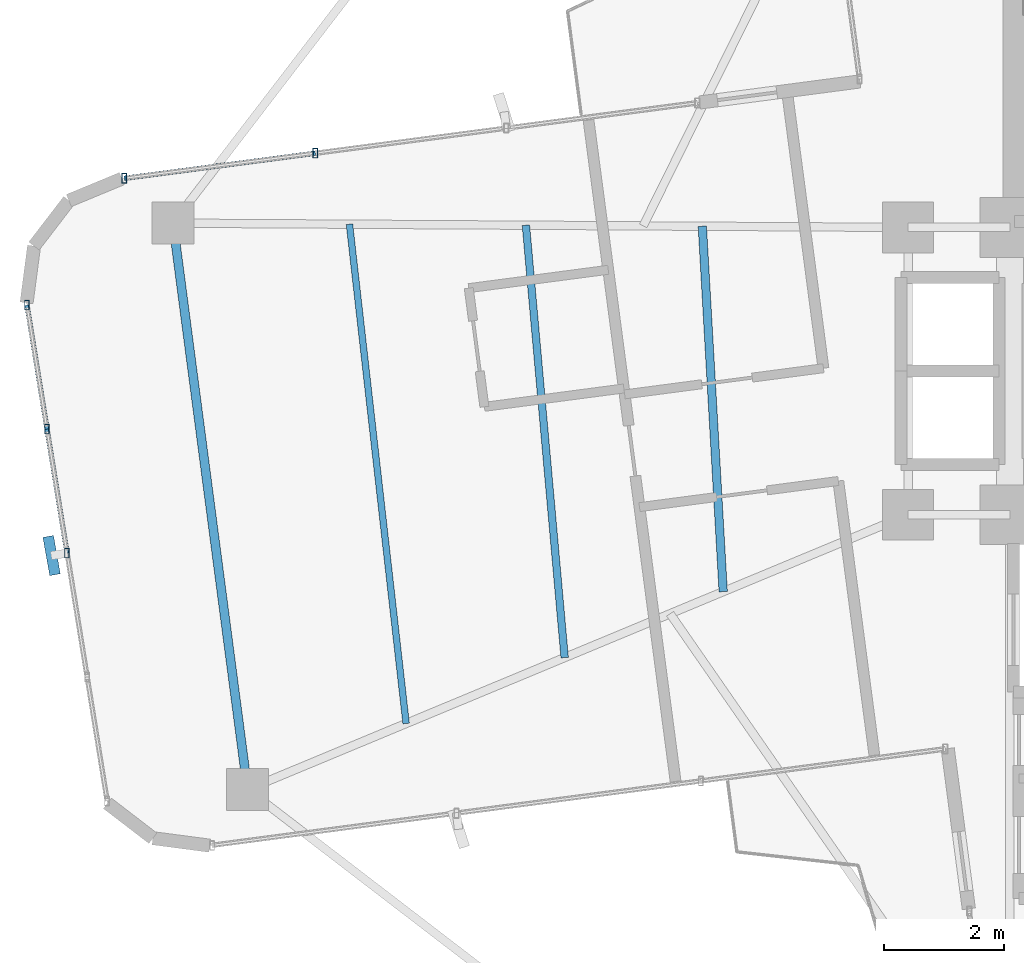
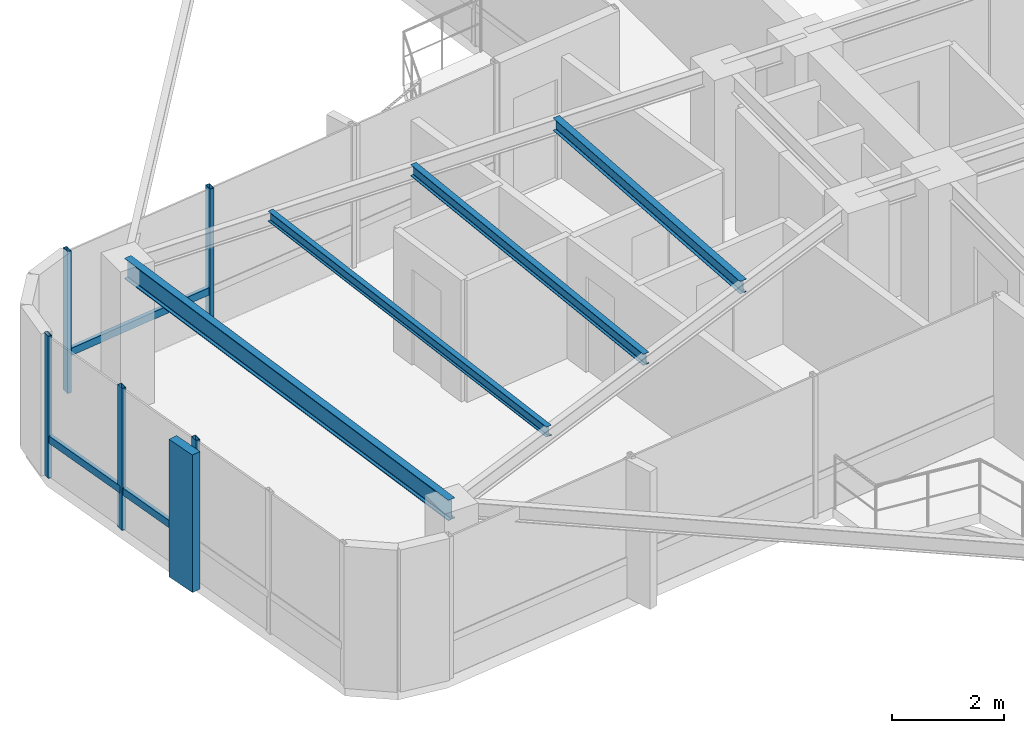
# One storey, part 7 of 22: 9 members, 4 beams, 2 elements without a shape of their own.
"""IFC4 building model written with IfcOpenShell, lengths in metres."""

from ifc_helpers import new_model, si_unit, direction, frame, origin, origin_2d, place, context, subcontext, project, spatial, rectangle, hollow_rectangle, i_section, extrude, source, transform, mapped, material, material_profile, profile_set, type_object, element, aggregate, save


model = new_model("IFC4")

# Units and contexts
model_context = context("Model", 3, precision=1e-05, world=origin(), true_north=direction((0.0, 1.0)))
body_context = subcontext(model_context, "Body", "Model", "MODEL_VIEW")
ifc_project = project(units=[si_unit("LENGTHUNIT", "METRE"), si_unit("AREAUNIT", "SQUARE_METRE"), si_unit("VOLUMEUNIT", "CUBIC_METRE"), si_unit("PLANEANGLEUNIT", "RADIAN"), si_unit("MASSUNIT", "GRAM", prefix="KILO")], contexts=[model_context])

# Site, building, storey
site_placement = place(None, origin())
site = spatial("IfcSite", under=ifc_project, at=site_placement, CompositionType="ELEMENT")
building_placement = place(site_placement, origin())
building = spatial("IfcBuilding", under=site, at=building_placement, Name="Sahyath Konkavel Grand Hotel", CompositionType="ELEMENT")
storey_placement = place(building_placement, frame((0.0, 0.0, 241.14990234375)))
storey = spatial("IfcBuildingStorey", under=building, at=storey_placement, Name="L67", CompositionType="ELEMENT", Elevation=241.14990234375)

# Beams
ifc_material_1 = material(Name="Steel E350", Category="steel")
ifc_material_profile_1 = material_profile(ifc_material_1, i_section(OverallWidth=0.14990234375, OverallDepth=0.449951171875, WebThickness=0.009521484375, FlangeThickness=0.017333984375, FilletRadius=0.014892578125, at=origin_2d()), Name="ISMB 450")
ifc_profile_set_1 = profile_set([ifc_material_profile_1], Name="Steel E350")
beam_type_1 = type_object("IfcBeamType", Name="BM-ISMB450", PredefinedType="BEAM", material=ifc_profile_set_1)
shared_shape_1 = source(origin(), body_context, "Body", "SweptSolid", [
    extrude(i_section(OverallWidth=0.14990234375, OverallDepth=0.449951171875, WebThickness=0.009521484375, FlangeThickness=0.017333984375, FilletRadius=0.014892578125, at=origin_2d()), origin(), (0.0, 0.0, 1.0), 9.5419921875),
])
beam_1_placement = place(storey_placement, frame((-17.78173828125, 2.47119140625, 2.885009765625), z_axis=(0.130537904905, -0.991443319299, 0.0), x_axis=(0.991443319299, 0.130537904905, 0.0)))
element("IfcBeam", 1, at=beam_1_placement, inside=storey, type_object=beam_type_1, Name="L67 Wing Tip Edge Beam W", PredefinedType="BEAM", context=body_context, shape_type="MappedRepresentation", body=[
    mapped(shared_shape_1, transform((0.0, 0.0, 0.0), scale=1.0)),
])
ifc_material_profile_2 = material_profile(ifc_material_1, i_section(OverallWidth=0.139892578125, OverallDepth=0.27490234375, WebThickness=0.00634765625, FlangeThickness=0.0087890625, FilletRadius=0.012939453125, at=origin_2d()), Name="ISLB 275")
ifc_profile_set_2 = profile_set([ifc_material_profile_2], Name="Steel E350")
beam_type_2 = type_object("IfcBeamType", Name="BM-ISLB275", PredefinedType="BEAM", material=ifc_profile_set_2)
shared_shape_2 = source(origin(), body_context, "Body", "SweptSolid", [
    extrude(i_section(OverallWidth=0.139892578125, OverallDepth=0.27490234375, WebThickness=0.00634765625, FlangeThickness=0.0087890625, FilletRadius=0.012939453125, at=origin_2d()), origin(), (0.0, 0.0, 1.0), 6.114990234375),
])
beam_2_placement = place(storey_placement, frame((-8.93896484375, 2.419921875, 2.97265625), z_axis=(0.057053201566, -0.998371139502, 0.0), x_axis=(0.998371139502, 0.057053201566, 0.0)))
element("IfcBeam", 2, at=beam_2_placement, inside=storey, type_object=beam_type_2, Name="L67 Secondary Floor Beam W-1", PredefinedType="BEAM", context=body_context, shape_type="MappedRepresentation", body=[
    mapped(shared_shape_2, transform((0.0, 0.0, 0.0), scale=1.0)),
])
ifc_material_profile_3 = material_profile(ifc_material_1, i_section(OverallWidth=0.125, OverallDepth=0.25, WebThickness=0.0068359375, FlangeThickness=0.012451171875, FilletRadius=0.012939453125, at=origin_2d()), Name="ISMB 250")
ifc_profile_set_3 = profile_set([ifc_material_profile_3], Name="Steel E350")
beam_type_3 = type_object("IfcBeamType", Name="BM-ISMB250", PredefinedType="BEAM", material=ifc_profile_set_3)
shared_shape_3 = source(origin(), body_context, "Body", "SweptSolid", [
    extrude(i_section(OverallWidth=0.125, OverallDepth=0.25, WebThickness=0.0068359375, FlangeThickness=0.012451171875, FilletRadius=0.012939453125, at=origin_2d()), origin(), (0.0, 0.0, 1.0), 7.25244140625),
])
beam_3_placement = place(storey_placement, frame((-11.886474609375, 2.43701171875, 2.985107421875), z_axis=(0.089309440631, -0.99600392761, 0.0), x_axis=(0.99600392761, 0.089309440631, 0.0)))
element("IfcBeam", 3, at=beam_3_placement, inside=storey, type_object=beam_type_3, Name="L67 Secondary Floor Beam W-2", PredefinedType="BEAM", context=body_context, shape_type="MappedRepresentation", body=[
    mapped(shared_shape_3, transform((0.0, 0.0, 0.0), scale=1.0)),
])
ifc_material_profile_4 = material_profile(ifc_material_1, i_section(OverallWidth=0.110107421875, OverallDepth=0.22509765625, WebThickness=0.006591796875, FlangeThickness=0.01171875, FilletRadius=0.011962890625, at=origin_2d()), Name="ISMB 225")
ifc_profile_set_4 = profile_set([ifc_material_profile_4], Name="Steel E350")
beam_type_4 = type_object("IfcBeamType", Name="BM-ISMB225", PredefinedType="BEAM", material=ifc_profile_set_4)
shared_shape_4 = source(origin(), body_context, "Body", "SweptSolid", [
    extrude(i_section(OverallWidth=0.110107421875, OverallDepth=0.22509765625, WebThickness=0.006591796875, FlangeThickness=0.01171875, FilletRadius=0.011962890625, at=origin_2d()), origin(), (0.0, 0.0, 1.0), 8.395263671875),
])
beam_4_placement = place(storey_placement, frame((-14.833984375, 2.4541015625, 2.99755859375), z_axis=(0.112745257615, -0.993623926285, 0.0), x_axis=(0.993623926285, 0.112745257615, 0.0)))
element("IfcBeam", 4, at=beam_4_placement, inside=storey, type_object=beam_type_4, Name="L67 Secondary Floor Beam W-3", PredefinedType="BEAM", context=body_context, shape_type="MappedRepresentation", body=[
    mapped(shared_shape_4, transform((0.0, 0.0, 0.0), scale=1.0)),
])

# Curtain wall, member
ifc_material_2 = material(Name="Anodised Bronze Aluminium & Low-E Glazing", Category="aluminium")
curtain_wall_type = type_object("IfcCurtainWallType", Name="CW-ZONE4", PredefinedType="NOTDEFINED", material=ifc_material_2)
curtain_wall_1_placement = place(storey_placement, origin())
curtain_wall_1 = element("IfcCurtainWall", 5, at=curtain_wall_1_placement, inside=storey, type_object=curtain_wall_type, Name="L67 Unitised Curtain Wall F20", PredefinedType="NOTDEFINED")
ifc_material_3 = material(Name="Warm Buff Sandstone Cladding on Concrete C50/60", Category="masonry")
ifc_material_profile_5 = material_profile(ifc_material_3, rectangle(XDim=0.179931640625, YDim=0.64990234375, at=origin_2d()), Name="FIN 180x650")
ifc_profile_set_5 = profile_set([ifc_material_profile_5], Name="Warm Buff Sandstone Cladding on Concrete C50/60")
member_type_1 = type_object("IfcMemberType", Name="FIN-SANDSTONE-650", PredefinedType="MULLION", material=ifc_profile_set_5)
shared_shape_5 = source(origin(), body_context, "Body", "SweptSolid", [
    extrude(rectangle(XDim=0.179931640625, YDim=0.64990234375, at=origin_2d()), origin(), (0.0, 0.0, 1.0), 3.010009765625),
])
member_1_placement = place(storey_placement, frame((-19.81005859375, -3.082275390625, 0.050048828125), z_axis=(0.0, 0.0, 1.0), x_axis=(0.984441905461, 0.175710371841, 0.0)))
member_1 = element("IfcMember", 6, at=member_1_placement, type_object=member_type_1, Name="L67 Sandstone Vertical Solar Fin FIN F20-2", PredefinedType="MULLION", context=body_context, shape_type="MappedRepresentation", body=[
    mapped(shared_shape_5, transform((0.0, 0.0, 0.0), scale=1.0)),
])

# Curtain wall, members
curtain_wall_2_placement = place(storey_placement, origin())
curtain_wall_2 = element("IfcCurtainWall", 7, at=curtain_wall_2_placement, inside=storey, type_object=curtain_wall_type, Name="L67 Unitised Curtain Wall F16", PredefinedType="NOTDEFINED")
ifc_material_4 = material(Name="Anodised Bronze Aluminium", Category="aluminium")
ifc_material_profile_6 = material_profile(ifc_material_4, hollow_rectangle(XDim=0.080078125, YDim=0.159912109375, WallThickness=0.006103515625, at=origin_2d()), Name="RHS 160x80x6")
ifc_profile_set_6 = profile_set([ifc_material_profile_6], Name="Anodised Bronze Aluminium")
member_type_2 = type_object("IfcMemberType", Name="CW-MUL-160", PredefinedType="MULLION", material=ifc_profile_set_6)
shared_shape_6 = source(origin(), body_context, "Body", "SweptSolid", [
    extrude(hollow_rectangle(XDim=0.080078125, YDim=0.159912109375, WallThickness=0.006103515625, at=origin_2d()), origin(), (0.0, 0.0, 1.0), 3.110107421875),
])
member_2_placement = place(storey_placement, frame((-15.405517578125, 3.641357421875, 0.0), z_axis=(0.0, 0.0, 1.0), x_axis=(1.0, 0.0, 0.0)))
member_2 = element("IfcMember", 8, at=member_2_placement, type_object=member_type_2, Name="L67 Curtain Wall Mullion F16-2", PredefinedType="MULLION", context=body_context, shape_type="MappedRepresentation", body=[
    mapped(shared_shape_6, transform((0.0, 0.0, 0.0), scale=1.0)),
])
member_3_placement = place(storey_placement, frame((-18.596435546875, 3.22119140625, 0.0), z_axis=(0.0, 0.0, 1.0), x_axis=(1.0, 0.0, 0.0)))
member_3 = element("IfcMember", 9, at=member_3_placement, type_object=member_type_2, Name="L67 Curtain Wall Mullion F16-3", PredefinedType="MULLION", context=body_context, shape_type="MappedRepresentation", body=[
    mapped(shared_shape_6, transform((0.0, 0.0, 0.0), scale=1.0)),
])

# Member
member_4_placement = place(storey_placement, frame((-20.222412109375, 1.100830078125, 0.0), z_axis=(0.0, 0.0, 1.0), x_axis=(1.0, 0.0, 0.0)))
member_4 = element("IfcMember", 10, at=member_4_placement, type_object=member_type_2, Name="L67 Curtain Wall Mullion F20-0", PredefinedType="MULLION", context=body_context, shape_type="MappedRepresentation", body=[
    mapped(shared_shape_6, transform((0.0, 0.0, 0.0), scale=1.0)),
])

member_5_placement = place(storey_placement, frame((-19.887939453125, -0.969970703125, 0.0), z_axis=(0.0, 0.0, 1.0), x_axis=(1.0, 0.0, 0.0)))
member_5 = element("IfcMember", 11, at=member_5_placement, type_object=member_type_2, Name="L67 Curtain Wall Mullion F20-1", PredefinedType="MULLION", context=body_context, shape_type="MappedRepresentation", body=[
    mapped(shared_shape_6, transform((0.0, 0.0, 0.0), scale=1.0)),
])

member_6_placement = place(storey_placement, frame((-19.553466796875, -3.040771484375, 0.0), z_axis=(0.0, 0.0, 1.0), x_axis=(1.0, 0.0, 0.0)))
member_6 = element("IfcMember", 12, at=member_6_placement, type_object=member_type_2, Name="L67 Curtain Wall Mullion F20-2", PredefinedType="MULLION", context=body_context, shape_type="MappedRepresentation", body=[
    mapped(shared_shape_6, transform((0.0, 0.0, 0.0), scale=1.0)),
])

ifc_material_profile_7 = material_profile(ifc_material_4, hollow_rectangle(XDim=0.080078125, YDim=0.159912109375, WallThickness=0.006103515625, at=origin_2d()), Name="RHS 160x80x6")
ifc_profile_set_7 = profile_set([ifc_material_profile_7], Name="Anodised Bronze Aluminium")
member_type_3 = type_object("IfcMemberType", Name="CW-TRN-160", PredefinedType="USERDEFINED", material=ifc_profile_set_7)
shared_shape_7 = source(origin(), body_context, "Body", "SweptSolid", [
    extrude(hollow_rectangle(XDim=0.080078125, YDim=0.159912109375, WallThickness=0.006103515625, at=origin_2d()), origin(), (0.0, 0.0, 1.0), 3.218505859375),
])
member_7_placement = place(storey_placement, frame((-15.405517578125, 3.641357421875, 0.85009765625), z_axis=(-0.991441897935, -0.130548699797, 0.0), x_axis=(0.130548699797, -0.991441897935, 0.0)))
member_7 = element("IfcMember", 13, at=member_7_placement, type_object=member_type_3, Name="L67 Curtain Wall Transom F16-2-spandrel", ObjectType="TRANSOM", PredefinedType="USERDEFINED", context=body_context, shape_type="MappedRepresentation", body=[
    mapped(shared_shape_7, transform((0.0, 0.0, 0.0), scale=1.0)),
])

aggregate(curtain_wall_2, [member_2, member_3, member_7])

shared_shape_8 = source(origin(), body_context, "Body", "SweptSolid", [
    extrude(hollow_rectangle(XDim=0.080078125, YDim=0.159912109375, WallThickness=0.006103515625, at=origin_2d()), origin(), (0.0, 0.0, 1.0), 2.09765625),
])
member_8_placement = place(storey_placement, frame((-20.222412109375, 1.100830078125, 0.85009765625), z_axis=(0.159451990937, -0.987205684033, 0.0), x_axis=(0.987205684033, 0.159451990937, 0.0)))
member_8 = element("IfcMember", 14, at=member_8_placement, type_object=member_type_3, Name="L67 Curtain Wall Transom F20-0-spandrel", ObjectType="TRANSOM", PredefinedType="USERDEFINED", context=body_context, shape_type="MappedRepresentation", body=[
    mapped(shared_shape_8, transform((0.0, 0.0, 0.0), scale=1.0)),
])

member_9_placement = place(storey_placement, frame((-19.887939453125, -0.969970703125, 0.85009765625), z_axis=(0.159451990937, -0.987205684033, 0.0), x_axis=(0.987205684033, 0.159451990937, 0.0)))
member_9 = element("IfcMember", 15, at=member_9_placement, type_object=member_type_3, Name="L67 Curtain Wall Transom F20-1-spandrel", ObjectType="TRANSOM", PredefinedType="USERDEFINED", context=body_context, shape_type="MappedRepresentation", body=[
    mapped(shared_shape_8, transform((0.0, 0.0, 0.0), scale=1.0)),
])

aggregate(curtain_wall_1, [member_4, member_5, member_6, member_1, member_8, member_9])

save(model, "model.ifc")
